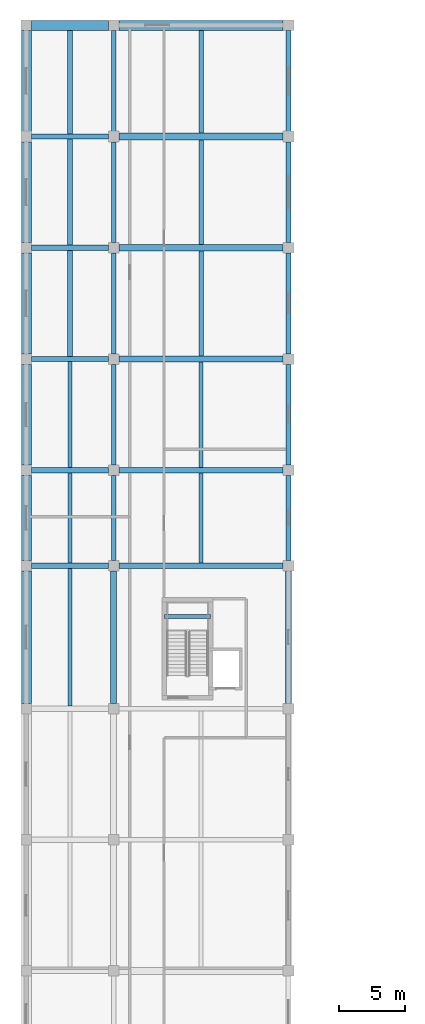
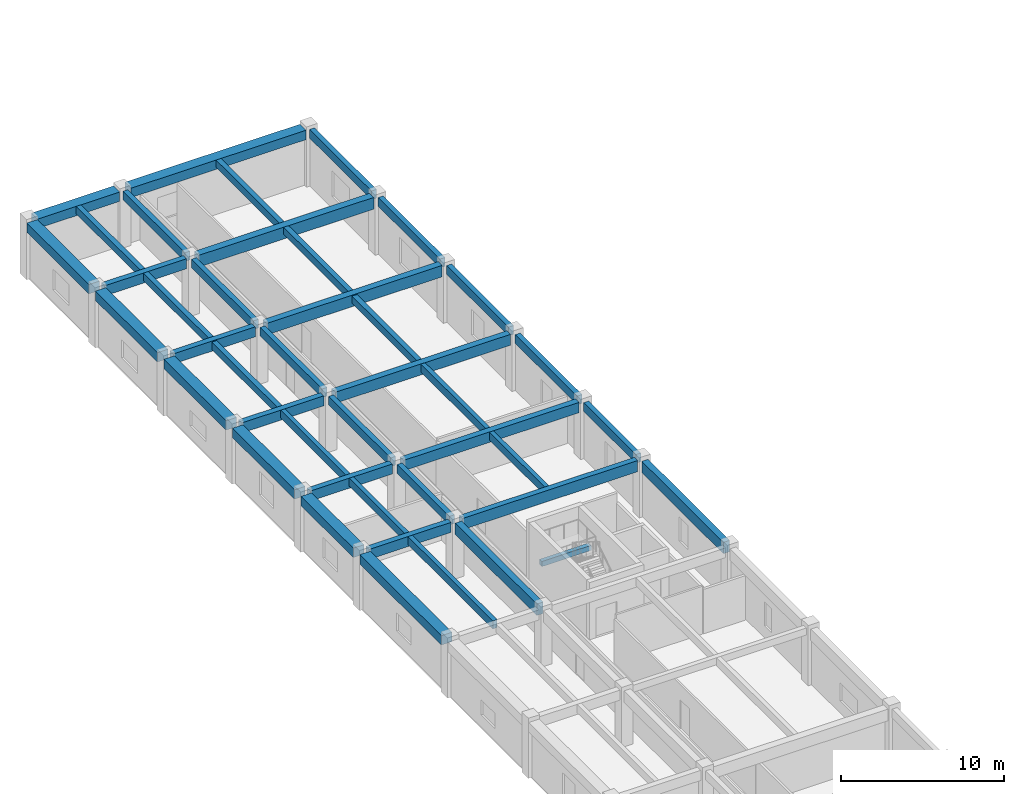
# One storey, part 22 of 57: 42 beams.
"""IFC4 building model written with IfcOpenShell, lengths in metres."""

from ifc_helpers import new_model, si_unit, direction, frame, origin, origin_2d, place, context, subcontext, project, spatial, rectangle, extrude, material, material_profile, profile_set, type_object, element, save


model = new_model("IFC4")

# Units and contexts
model_context = context("Model", 3, precision=1e-05, world=origin(), true_north=direction((0.0, 1.0)))
body_context = subcontext(model_context, "Body", "Model", "MODEL_VIEW")
ifc_project = project(units=[si_unit("LENGTHUNIT", "METRE"), si_unit("AREAUNIT", "SQUARE_METRE"), si_unit("VOLUMEUNIT", "CUBIC_METRE"), si_unit("PLANEANGLEUNIT", "RADIAN"), si_unit("MASSUNIT", "GRAM", prefix="KILO")], contexts=[model_context])

# Site, building, storey
site_placement = place(None, origin())
site = spatial("IfcSite", under=ifc_project, at=site_placement, CompositionType="ELEMENT")
building_placement = place(site_placement, origin())
building = spatial("IfcBuilding", under=site, at=building_placement, Name="Miralva Faculty of Natural Sciences", CompositionType="ELEMENT")
storey_placement = place(building_placement, frame((0.0, 0.0, 15.0)))
storey = spatial("IfcBuildingStorey", under=building, at=storey_placement, Name="L03", CompositionType="ELEMENT", Elevation=15.0)

# Beams
ifc_material = material(Name="Concrete C40/50", Category="concrete")
ifc_material_profile_1 = material_profile(ifc_material, rectangle(XDim=0.449951171875, YDim=0.85009765625, at=origin_2d()), Name="RC 450x850")
ifc_profile_set_1 = profile_set([ifc_material_profile_1], Name="Concrete C40/50")
beam_type_1 = type_object("IfcBeamType", Name="BM-B01", PredefinedType="BEAM", material=ifc_profile_set_1)
for number, where, z_axis, x_axis, name in (
    (1, (9.60009765625, 65.800048828125, 3.7548828125), (0.0, 1.0, 0.0), (-1.0, 0.0, 0.0), "Girder NS L03-82"),
    (2, (22.800048828125, 65.800048828125, 3.7548828125), (0.0, 1.0, 0.0), (-1.0, 0.0, 0.0), "Girder NS L03-98"),
):
    element("IfcBeam", number, at=place(storey_placement, frame(where, z_axis=z_axis, x_axis=x_axis)), inside=storey, type_object=beam_type_1, Name=name, PredefinedType="BEAM", context=body_context, shape_type="SweptSolid", body=[
        extrude(rectangle(XDim=0.449951171875, YDim=0.85009765625, at=origin_2d()), origin(), (0.0, 0.0, 1.0), 10.0),
    ])
ifc_material_profile_2 = material_profile(ifc_material, rectangle(XDim=0.39990234375, YDim=0.75, at=origin_2d()), Name="RC 400x750")
ifc_profile_set_2 = profile_set([ifc_material_profile_2], Name="Concrete C40/50")
beam_type_2 = type_object("IfcBeamType", Name="BM-B03", PredefinedType="BEAM", material=ifc_profile_set_2)
for number, where, z_axis, x_axis, name in (
    (3, (3.39990234375, 76.199951171875, 3.804931640625), (1.0, 0.0, 0.0), (0.0, 1.0, 0.0), "Girder EW L03-48"),
    (4, (3.39990234375, 83.39990234375, 3.804931640625), (1.0, 0.0, 0.0), (0.0, 1.0, 0.0), "Girder EW L03-52"),
    (5, (3.39990234375, 91.800048828125, 3.804931640625), (1.0, 0.0, 0.0), (0.0, 1.0, 0.0), "Girder EW L03-54"),
    (6, (3.39990234375, 100.199951171875, 3.875), (1.0, 0.0, 0.0), (0.0, 1.0, 0.0), "Girder EW L03-56"),
    (7, (3.39990234375, 108.60009765625, 3.875), (1.0, 0.0, 0.0), (0.0, 1.0, 0.0), "Girder EW L03-58"),
):
    element("IfcBeam", number, at=place(storey_placement, frame(where, z_axis=z_axis, x_axis=x_axis)), inside=storey, type_object=beam_type_2, Name=name, PredefinedType="BEAM", context=body_context, shape_type="SweptSolid", body=[
        extrude(rectangle(XDim=0.39990234375, YDim=0.75, at=origin_2d()), origin(), (0.0, 0.0, 1.0), 5.800048828125),
    ])
ifc_material_profile_3 = material_profile(ifc_material, rectangle(XDim=0.35009765625, YDim=0.64990234375, at=origin_2d()), Name="RC 350x650")
ifc_profile_set_3 = profile_set([ifc_material_profile_3], Name="Concrete C40/50")
beam_type_3 = type_object("IfcBeamType", Name="BM-B05", PredefinedType="BEAM", material=ifc_profile_set_3)
beam_1_placement = place(storey_placement, frame((9.60009765625, 76.60009765625, 3.85498046875), z_axis=(0.0, 1.0, 0.0), x_axis=(-1.0, 0.0, 0.0)))
element("IfcBeam", 8, at=beam_1_placement, inside=storey, type_object=beam_type_3, Name="Girder NS L03-83", PredefinedType="BEAM", context=body_context, shape_type="SweptSolid", body=[
    extrude(rectangle(XDim=0.35009765625, YDim=0.64990234375, at=origin_2d()), origin(), (0.0, 0.0, 1.0), 6.39990234375),
])
beam_2_placement = place(storey_placement, frame((9.60009765625, 83.800048828125, 3.85498046875), z_axis=(0.0, 1.0, 0.0), x_axis=(-1.0, 0.0, 0.0)))
element("IfcBeam", 9, at=beam_2_placement, inside=storey, type_object=beam_type_3, Name="Girder NS L03-84", PredefinedType="BEAM", context=body_context, shape_type="SweptSolid", body=[
    extrude(rectangle(XDim=0.35009765625, YDim=0.64990234375, at=origin_2d()), origin(), (0.0, 0.0, 1.0), 7.599853515625),
])
beam_3_placement = place(storey_placement, frame((9.60009765625, 92.199951171875, 3.925048828125), z_axis=(0.0, 1.0, 0.0), x_axis=(-1.0, 0.0, 0.0)))
element("IfcBeam", 10, at=beam_3_placement, inside=storey, type_object=beam_type_3, Name="Girder NS L03-85", PredefinedType="BEAM", context=body_context, shape_type="SweptSolid", body=[
    extrude(rectangle(XDim=0.35009765625, YDim=0.64990234375, at=origin_2d()), origin(), (0.0, 0.0, 1.0), 7.60009765625),
])
beam_4_placement = place(storey_placement, frame((9.60009765625, 100.60009765625, 3.925048828125), z_axis=(0.0, 1.0, 0.0), x_axis=(-1.0, 0.0, 0.0)))
element("IfcBeam", 11, at=beam_4_placement, inside=storey, type_object=beam_type_3, Name="Girder NS L03-86", PredefinedType="BEAM", context=body_context, shape_type="SweptSolid", body=[
    extrude(rectangle(XDim=0.35009765625, YDim=0.64990234375, at=origin_2d()), origin(), (0.0, 0.0, 1.0), 7.599853515625),
])
beam_5_placement = place(storey_placement, frame((9.60009765625, 109.0, 3.925048828125), z_axis=(0.0, 1.0, 0.0), x_axis=(-1.0, 0.0, 0.0)))
element("IfcBeam", 12, at=beam_5_placement, inside=storey, type_object=beam_type_3, Name="Girder NS L03-87", PredefinedType="BEAM", context=body_context, shape_type="SweptSolid", body=[
    extrude(rectangle(XDim=0.35009765625, YDim=0.64990234375, at=origin_2d()), origin(), (0.0, 0.0, 1.0), 7.60009765625),
])
beam_6_placement = place(storey_placement, frame((22.800048828125, 76.60009765625, 3.85498046875), z_axis=(0.0, 1.0, 0.0), x_axis=(-1.0, 0.0, 0.0)))
element("IfcBeam", 13, at=beam_6_placement, inside=storey, type_object=beam_type_3, Name="Girder NS L03-99", PredefinedType="BEAM", context=body_context, shape_type="SweptSolid", body=[
    extrude(rectangle(XDim=0.35009765625, YDim=0.64990234375, at=origin_2d()), origin(), (0.0, 0.0, 1.0), 6.39990234375),
])
beam_7_placement = place(storey_placement, frame((22.800048828125, 83.800048828125, 3.85498046875), z_axis=(0.0, 1.0, 0.0), x_axis=(-1.0, 0.0, 0.0)))
element("IfcBeam", 14, at=beam_7_placement, inside=storey, type_object=beam_type_3, Name="Girder NS L03-100", PredefinedType="BEAM", context=body_context, shape_type="SweptSolid", body=[
    extrude(rectangle(XDim=0.35009765625, YDim=0.64990234375, at=origin_2d()), origin(), (0.0, 0.0, 1.0), 7.599853515625),
])
beam_8_placement = place(storey_placement, frame((22.800048828125, 92.199951171875, 3.925048828125), z_axis=(0.0, 1.0, 0.0), x_axis=(-1.0, 0.0, 0.0)))
element("IfcBeam", 15, at=beam_8_placement, inside=storey, type_object=beam_type_3, Name="Girder NS L03-101", PredefinedType="BEAM", context=body_context, shape_type="SweptSolid", body=[
    extrude(rectangle(XDim=0.35009765625, YDim=0.64990234375, at=origin_2d()), origin(), (0.0, 0.0, 1.0), 7.60009765625),
])
beam_9_placement = place(storey_placement, frame((22.800048828125, 100.60009765625, 3.925048828125), z_axis=(0.0, 1.0, 0.0), x_axis=(-1.0, 0.0, 0.0)))
element("IfcBeam", 16, at=beam_9_placement, inside=storey, type_object=beam_type_3, Name="Girder NS L03-102", PredefinedType="BEAM", context=body_context, shape_type="SweptSolid", body=[
    extrude(rectangle(XDim=0.35009765625, YDim=0.64990234375, at=origin_2d()), origin(), (0.0, 0.0, 1.0), 7.599853515625),
])
beam_10_placement = place(storey_placement, frame((22.800048828125, 109.0, 3.925048828125), z_axis=(0.0, 1.0, 0.0), x_axis=(-1.0, 0.0, 0.0)))
element("IfcBeam", 17, at=beam_10_placement, inside=storey, type_object=beam_type_3, Name="Girder NS L03-103", PredefinedType="BEAM", context=body_context, shape_type="SweptSolid", body=[
    extrude(rectangle(XDim=0.35009765625, YDim=0.64990234375, at=origin_2d()), origin(), (0.0, 0.0, 1.0), 7.60009765625),
])
ifc_material_profile_4 = material_profile(ifc_material, rectangle(XDim=0.39990234375, YDim=0.840087890625, at=origin_2d()), Name="RC 400x840")
ifc_profile_set_4 = profile_set([ifc_material_profile_4], Name="Concrete C40/50")
beam_type_4 = type_object("IfcBeamType", Name="BM-BG09", PredefinedType="BEAM", material=ifc_profile_set_4)
beam_11_placement = place(storey_placement, frame((10.0, 76.199951171875, 3.760009765625), z_axis=(1.0, 0.0, 0.0), x_axis=(0.0, 1.0, 0.0)))
element("IfcBeam", 18, at=beam_11_placement, inside=storey, type_object=beam_type_4, Name="Girder EW L03-49", PredefinedType="BEAM", context=body_context, shape_type="SweptSolid", body=[
    extrude(rectangle(XDim=0.39990234375, YDim=0.840087890625, at=origin_2d()), origin(), (0.0, 0.0, 1.0), 12.39990234375),
])
ifc_material_profile_5 = material_profile(ifc_material, rectangle(XDim=0.43994140625, YDim=0.780029296875, at=origin_2d()), Name="RC 440x780")
ifc_profile_set_5 = profile_set([ifc_material_profile_5], Name="Concrete C40/50")
beam_type_5 = type_object("IfcBeamType", Name="BM-BG13", PredefinedType="BEAM", material=ifc_profile_set_5)
beam_12_placement = place(storey_placement, frame((10.0, 83.39990234375, 3.7900390625), z_axis=(1.0, 0.0, 0.0), x_axis=(0.0, 1.0, 0.0)))
element("IfcBeam", 19, at=beam_12_placement, inside=storey, type_object=beam_type_5, Name="Girder EW L03-53", PredefinedType="BEAM", context=body_context, shape_type="SweptSolid", body=[
    extrude(rectangle(XDim=0.43994140625, YDim=0.780029296875, at=origin_2d()), origin(), (0.0, 0.0, 1.0), 12.39990234375),
])
ifc_material_profile_6 = material_profile(ifc_material, rectangle(XDim=0.4599609375, YDim=0.820068359375, at=origin_2d()), Name="RC 460x820")
ifc_profile_set_6 = profile_set([ifc_material_profile_6], Name="Concrete C40/50")
beam_type_6 = type_object("IfcBeamType", Name="BM-BG15", PredefinedType="BEAM", material=ifc_profile_set_6)
beam_13_placement = place(storey_placement, frame((10.0, 91.800048828125, 3.77001953125), z_axis=(1.0, 0.0, 0.0), x_axis=(0.0, 1.0, 0.0)))
element("IfcBeam", 20, at=beam_13_placement, inside=storey, type_object=beam_type_6, Name="Girder EW L03-55", PredefinedType="BEAM", context=body_context, shape_type="SweptSolid", body=[
    extrude(rectangle(XDim=0.4599609375, YDim=0.820068359375, at=origin_2d()), origin(), (0.0, 0.0, 1.0), 12.39990234375),
])
ifc_material_profile_7 = material_profile(ifc_material, rectangle(XDim=0.47998046875, YDim=0.860107421875, at=origin_2d()), Name="RC 480x860")
ifc_profile_set_7 = profile_set([ifc_material_profile_7], Name="Concrete C40/50")
beam_type_7 = type_object("IfcBeamType", Name="BM-BG17", PredefinedType="BEAM", material=ifc_profile_set_7)
beam_14_placement = place(storey_placement, frame((10.0, 100.199951171875, 3.820068359375), z_axis=(1.0, 0.0, 0.0), x_axis=(0.0, 1.0, 0.0)))
element("IfcBeam", 21, at=beam_14_placement, inside=storey, type_object=beam_type_7, Name="Girder EW L03-57", PredefinedType="BEAM", context=body_context, shape_type="SweptSolid", body=[
    extrude(rectangle(XDim=0.47998046875, YDim=0.860107421875, at=origin_2d()), origin(), (0.0, 0.0, 1.0), 12.39990234375),
])
ifc_material_profile_8 = material_profile(ifc_material, rectangle(XDim=0.52001953125, YDim=0.8798828125, at=origin_2d()), Name="RC 520x880")
ifc_profile_set_8 = profile_set([ifc_material_profile_8], Name="Concrete C40/50")
beam_type_8 = type_object("IfcBeamType", Name="BM-BG19", PredefinedType="BEAM", material=ifc_profile_set_8)
beam_15_placement = place(storey_placement, frame((10.0, 108.60009765625, 3.81005859375), z_axis=(1.0, 0.0, 0.0), x_axis=(0.0, 1.0, 0.0)))
element("IfcBeam", 22, at=beam_15_placement, inside=storey, type_object=beam_type_8, Name="Girder EW L03-59", PredefinedType="BEAM", context=body_context, shape_type="SweptSolid", body=[
    extrude(rectangle(XDim=0.52001953125, YDim=0.8798828125, at=origin_2d()), origin(), (0.0, 0.0, 1.0), 12.39990234375),
])
ifc_material_profile_9 = material_profile(ifc_material, rectangle(XDim=0.300048828125, YDim=0.60009765625, at=origin_2d()), Name="RC 300x600")
ifc_profile_set_9 = profile_set([ifc_material_profile_9], Name="Concrete C40/50")
beam_type_9 = type_object("IfcBeamType", Name="BM-J01", PredefinedType="JOIST", material=ifc_profile_set_9)
beam_16_placement = place(storey_placement, frame((6.300048828125, 65.60009765625, 3.8798828125), z_axis=(0.0, 1.0, 0.0), x_axis=(-1.0, 0.0, 0.0)))
element("IfcBeam", 23, at=beam_16_placement, inside=storey, type_object=beam_type_9, Name="Floor joist L03-19", PredefinedType="JOIST", context=body_context, shape_type="SweptSolid", body=[
    extrude(rectangle(XDim=0.300048828125, YDim=0.60009765625, at=origin_2d()), origin(), (0.0, 0.0, 1.0), 10.39990234375),
])
beam_17_placement = place(storey_placement, frame((6.300048828125, 76.39990234375, 3.8798828125), z_axis=(0.0, 1.0, 0.0), x_axis=(-1.0, 0.0, 0.0)))
element("IfcBeam", 24, at=beam_17_placement, inside=storey, type_object=beam_type_9, Name="Floor joist L03-22", PredefinedType="JOIST", context=body_context, shape_type="SweptSolid", body=[
    extrude(rectangle(XDim=0.300048828125, YDim=0.60009765625, at=origin_2d()), origin(), (0.0, 0.0, 1.0), 6.800048828125),
])
beam_18_placement = place(storey_placement, frame((16.199951171875, 76.39990234375, 3.8798828125), z_axis=(0.0, 1.0, 0.0), x_axis=(-1.0, 0.0, 0.0)))
element("IfcBeam", 25, at=beam_18_placement, inside=storey, type_object=beam_type_9, Name="Floor joist L03-23", PredefinedType="JOIST", context=body_context, shape_type="SweptSolid", body=[
    extrude(rectangle(XDim=0.300048828125, YDim=0.60009765625, at=origin_2d()), origin(), (0.0, 0.0, 1.0), 6.780029296875),
])
beam_19_placement = place(storey_placement, frame((6.300048828125, 83.60009765625, 3.8798828125), z_axis=(0.0, 1.0, 0.0), x_axis=(-1.0, 0.0, 0.0)))
element("IfcBeam", 26, at=beam_19_placement, inside=storey, type_object=beam_type_9, Name="Floor joist L03-24", PredefinedType="JOIST", context=body_context, shape_type="SweptSolid", body=[
    extrude(rectangle(XDim=0.300048828125, YDim=0.60009765625, at=origin_2d()), origin(), (0.0, 0.0, 1.0), 8.0),
])
beam_20_placement = place(storey_placement, frame((16.199951171875, 83.6201171875, 3.8798828125), z_axis=(0.0, 1.0, 0.0), x_axis=(-1.0, 0.0, 0.0)))
element("IfcBeam", 27, at=beam_20_placement, inside=storey, type_object=beam_type_9, Name="Floor joist L03-25", PredefinedType="JOIST", context=body_context, shape_type="SweptSolid", body=[
    extrude(rectangle(XDim=0.300048828125, YDim=0.60009765625, at=origin_2d()), origin(), (0.0, 0.0, 1.0), 7.949951171875),
])
ifc_material_profile_10 = material_profile(ifc_material, rectangle(XDim=0.35009765625, YDim=0.550048828125, at=origin_2d()), Name="RC 350x550")
ifc_profile_set_10 = profile_set([ifc_material_profile_10], Name="Concrete C40/50")
beam_type_10 = type_object("IfcBeamType", Name="BM-J04", PredefinedType="JOIST", material=ifc_profile_set_10)
beam_21_placement = place(storey_placement, frame((6.300048828125, 92.0, 3.905029296875), z_axis=(0.0, 1.0, 0.0), x_axis=(-1.0, 0.0, 0.0)))
element("IfcBeam", 28, at=beam_21_placement, inside=storey, type_object=beam_type_10, Name="Floor joist L03-26", PredefinedType="JOIST", context=body_context, shape_type="SweptSolid", body=[
    extrude(rectangle(XDim=0.35009765625, YDim=0.550048828125, at=origin_2d()), origin(), (0.0, 0.0, 1.0), 8.0),
])
beam_22_placement = place(storey_placement, frame((16.199951171875, 92.030029296875, 3.905029296875), z_axis=(0.0, 1.0, 0.0), x_axis=(-1.0, 0.0, 0.0)))
element("IfcBeam", 29, at=beam_22_placement, inside=storey, type_object=beam_type_10, Name="Floor joist L03-27", PredefinedType="JOIST", context=body_context, shape_type="SweptSolid", body=[
    extrude(rectangle(XDim=0.35009765625, YDim=0.550048828125, at=origin_2d()), origin(), (0.0, 0.0, 1.0), 7.929931640625),
])
beam_23_placement = place(storey_placement, frame((6.300048828125, 100.39990234375, 3.97509765625), z_axis=(0.0, 1.0, 0.0), x_axis=(-1.0, 0.0, 0.0)))
element("IfcBeam", 30, at=beam_23_placement, inside=storey, type_object=beam_type_10, Name="Floor joist L03-28", PredefinedType="JOIST", context=body_context, shape_type="SweptSolid", body=[
    extrude(rectangle(XDim=0.35009765625, YDim=0.550048828125, at=origin_2d()), origin(), (0.0, 0.0, 1.0), 8.0),
])
beam_24_placement = place(storey_placement, frame((16.199951171875, 100.43994140625, 3.97509765625), z_axis=(0.0, 1.0, 0.0), x_axis=(-1.0, 0.0, 0.0)))
element("IfcBeam", 31, at=beam_24_placement, inside=storey, type_object=beam_type_10, Name="Floor joist L03-29", PredefinedType="JOIST", context=body_context, shape_type="SweptSolid", body=[
    extrude(rectangle(XDim=0.35009765625, YDim=0.550048828125, at=origin_2d()), origin(), (0.0, 0.0, 1.0), 7.900146484375),
])
beam_25_placement = place(storey_placement, frame((6.300048828125, 108.800048828125, 3.97509765625), z_axis=(0.0, 1.0, 0.0), x_axis=(-1.0, 0.0, 0.0)))
element("IfcBeam", 32, at=beam_25_placement, inside=storey, type_object=beam_type_10, Name="Floor joist L03-30", PredefinedType="JOIST", context=body_context, shape_type="SweptSolid", body=[
    extrude(rectangle(XDim=0.35009765625, YDim=0.550048828125, at=origin_2d()), origin(), (0.0, 0.0, 1.0), 7.824951171875),
])
beam_26_placement = place(storey_placement, frame((16.199951171875, 108.860107421875, 3.97509765625), z_axis=(0.0, 1.0, 0.0), x_axis=(-1.0, 0.0, 0.0)))
element("IfcBeam", 33, at=beam_26_placement, inside=storey, type_object=beam_type_10, Name="Floor joist L03-31", PredefinedType="JOIST", context=body_context, shape_type="SweptSolid", body=[
    extrude(rectangle(XDim=0.35009765625, YDim=0.550048828125, at=origin_2d()), origin(), (0.0, 0.0, 1.0), 7.764892578125),
])
ifc_material_profile_11 = material_profile(ifc_material, rectangle(XDim=0.300048828125, YDim=0.3798828125, at=origin_2d()), Name="RC 300x380")
ifc_profile_set_11 = profile_set([ifc_material_profile_11], Name="Concrete C40/50")
beam_type_11 = type_object("IfcBeamType", Name="BM-LND01", PredefinedType="BEAM", material=ifc_profile_set_11)
beam_27_placement = place(storey_placement, frame((13.425048828125, 72.35498046875, 1.8701171875), z_axis=(1.0, 0.0, 0.0), x_axis=(0.0, 1.0, 0.0)))
element("IfcBeam", 34, at=beam_27_placement, inside=storey, type_object=beam_type_11, Name="Stair Core C2 half-landing support beam L03", PredefinedType="BEAM", context=body_context, shape_type="SweptSolid", body=[
    extrude(rectangle(XDim=0.300048828125, YDim=0.3798828125, at=origin_2d()), origin(), (0.0, 0.0, 1.0), 3.5),
])
ifc_material_profile_12 = material_profile(ifc_material, rectangle(XDim=0.75, YDim=0.699951171875, at=origin_2d()), Name="RC 750x700")
ifc_profile_set_12 = profile_set([ifc_material_profile_12], Name="Concrete C40/50")
beam_type_12 = type_object("IfcBeamType", Name="BM-SP01", PredefinedType="SPANDREL", material=ifc_profile_set_12)
beam_28_placement = place(storey_placement, frame((3.39990234375, 117.0, 3.89990234375), z_axis=(1.0, 0.0, 0.0), x_axis=(0.0, 1.0, 0.0)))
element("IfcBeam", 35, at=beam_28_placement, inside=storey, type_object=beam_type_12, Name="Girder EW L03-60", PredefinedType="SPANDREL", context=body_context, shape_type="SweptSolid", body=[
    extrude(rectangle(XDim=0.75, YDim=0.699951171875, at=origin_2d()), origin(), (0.0, 0.0, 1.0), 5.800048828125),
])
beam_29_placement = place(storey_placement, frame((10.0, 117.0, 3.89990234375), z_axis=(1.0, 0.0, 0.0), x_axis=(0.0, 1.0, 0.0)))
element("IfcBeam", 36, at=beam_29_placement, inside=storey, type_object=beam_type_12, Name="Girder EW L03-61", PredefinedType="SPANDREL", context=body_context, shape_type="SweptSolid", body=[
    extrude(rectangle(XDim=0.75, YDim=0.699951171875, at=origin_2d()), origin(), (0.0, 0.0, 1.0), 12.39990234375),
])
beam_30_placement = place(storey_placement, frame((3.0, 65.800048828125, 3.830078125), z_axis=(0.0, 1.0, 0.0), x_axis=(-1.0, 0.0, 0.0)))
element("IfcBeam", 37, at=beam_30_placement, inside=storey, type_object=beam_type_12, Name="Girder NS L03-69", PredefinedType="SPANDREL", context=body_context, shape_type="SweptSolid", body=[
    extrude(rectangle(XDim=0.75, YDim=0.699951171875, at=origin_2d()), origin(), (0.0, 0.0, 1.0), 10.0),
])
beam_31_placement = place(storey_placement, frame((3.0, 76.60009765625, 3.830078125), z_axis=(0.0, 1.0, 0.0), x_axis=(-1.0, 0.0, 0.0)))
element("IfcBeam", 38, at=beam_31_placement, inside=storey, type_object=beam_type_12, Name="Girder NS L03-70", PredefinedType="SPANDREL", context=body_context, shape_type="SweptSolid", body=[
    extrude(rectangle(XDim=0.75, YDim=0.699951171875, at=origin_2d()), origin(), (0.0, 0.0, 1.0), 6.39990234375),
])
beam_32_placement = place(storey_placement, frame((3.0, 83.800048828125, 3.830078125), z_axis=(0.0, 1.0, 0.0), x_axis=(-1.0, 0.0, 0.0)))
element("IfcBeam", 39, at=beam_32_placement, inside=storey, type_object=beam_type_12, Name="Girder NS L03-71", PredefinedType="SPANDREL", context=body_context, shape_type="SweptSolid", body=[
    extrude(rectangle(XDim=0.75, YDim=0.699951171875, at=origin_2d()), origin(), (0.0, 0.0, 1.0), 7.599853515625),
])
beam_33_placement = place(storey_placement, frame((3.0, 92.199951171875, 3.89990234375), z_axis=(0.0, 1.0, 0.0), x_axis=(-1.0, 0.0, 0.0)))
element("IfcBeam", 40, at=beam_33_placement, inside=storey, type_object=beam_type_12, Name="Girder NS L03-72", PredefinedType="SPANDREL", context=body_context, shape_type="SweptSolid", body=[
    extrude(rectangle(XDim=0.75, YDim=0.699951171875, at=origin_2d()), origin(), (0.0, 0.0, 1.0), 7.60009765625),
])
beam_34_placement = place(storey_placement, frame((3.0, 100.60009765625, 3.89990234375), z_axis=(0.0, 1.0, 0.0), x_axis=(-1.0, 0.0, 0.0)))
element("IfcBeam", 41, at=beam_34_placement, inside=storey, type_object=beam_type_12, Name="Girder NS L03-73", PredefinedType="SPANDREL", context=body_context, shape_type="SweptSolid", body=[
    extrude(rectangle(XDim=0.75, YDim=0.699951171875, at=origin_2d()), origin(), (0.0, 0.0, 1.0), 7.599853515625),
])
beam_35_placement = place(storey_placement, frame((3.0, 109.0, 3.89990234375), z_axis=(0.0, 1.0, 0.0), x_axis=(-1.0, 0.0, 0.0)))
element("IfcBeam", 42, at=beam_35_placement, inside=storey, type_object=beam_type_12, Name="Girder NS L03-74", PredefinedType="SPANDREL", context=body_context, shape_type="SweptSolid", body=[
    extrude(rectangle(XDim=0.75, YDim=0.699951171875, at=origin_2d()), origin(), (0.0, 0.0, 1.0), 7.60009765625),
])

save(model, "model.ifc")
